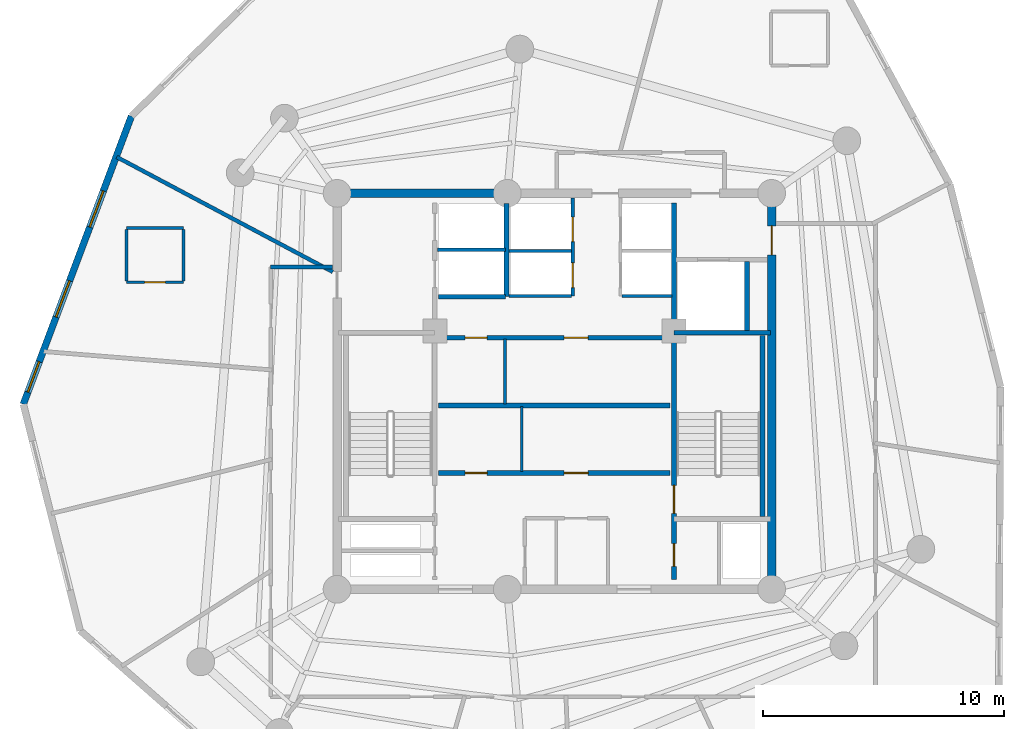
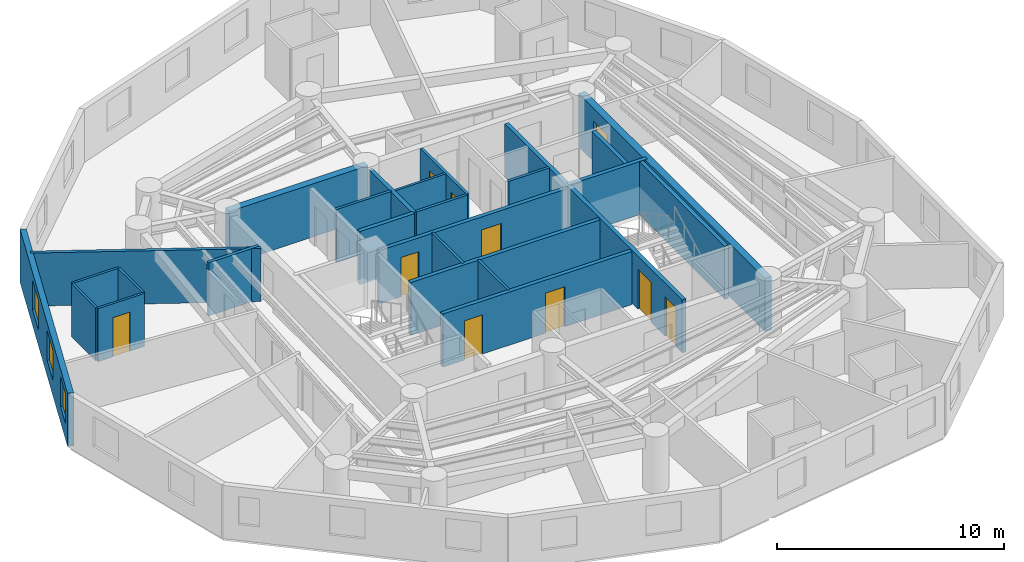
# One storey, part 4 of 7: 25 walls, 10 doors, 3 windows, 13 openings.
"""IFC4 building model written with IfcOpenShell, lengths in metres."""

import ifcopenshell
import ifcopenshell.guid

model = None  # the IFC model being written
_history = None  # IfcOwnerHistory: only IFC2X3 demands one
_inside = {}  # id of a spatial element -> (the spatial element, [elements in it])
_under = {}  # id of a project, library or spatial element -> (it, [spatial elements below it])
_declared = {}  # id of a project -> (the project, [libraries it declares])
_typed = {}  # id of a type object -> (the type object, [elements of that type])
_made_of = {}  # id of a material, layer set ... -> (it, [elements and type objects made of it])


def new_model(schema):
    """Start an empty IFC model of exactly this schema.

    Asked for "IFC4X3", IfcOpenShell would pick the latest addendum, in which some entities
    have other attributes; the version numbers below select the first issue.
    IFC2X3 requires an IfcOwnerHistory on every rooted entity: one is made here for all.
    """
    global model, _history
    if schema == "IFC4X3":
        model = ifcopenshell.file(schema_version=(4, 3, 0, 0))
    else:
        model = ifcopenshell.file(schema=schema)
    _inside.clear()
    _under.clear()
    _declared.clear()
    _typed.clear()
    _made_of.clear()
    _history = None
    if model.schema == "IFC2X3":
        org = make("IfcOrganization", Name="unknown")
        user = make(
            "IfcPersonAndOrganization",
            ThePerson=make("IfcPerson", FamilyName="unknown"),
            TheOrganization=org,
        )
        app = make(
            "IfcApplication",
            ApplicationDeveloper=org,
            Version="unknown",
            ApplicationFullName="unknown",
            ApplicationIdentifier="unknown",
        )
        _history = make(
            "IfcOwnerHistory",
            OwningUser=user,
            OwningApplication=app,
            ChangeAction="ADDED",
            CreationDate=0,
        )
    return model


def make(cls, **values):
    """One entity of the class cls with the attributes given. An attribute that is None is left unset."""
    return model.create_entity(
        cls, **{name: value for name, value in values.items() if value is not None}
    )


def rooted(cls, **values):
    """An entity with a GlobalId (a new one), such as an element, a storey or a relation."""
    return make(cls, GlobalId=ifcopenshell.guid.new(), OwnerHistory=_history, **values)


def si_unit(unit_type, name, prefix=None):
    """IfcSIUnit, for example si_unit("LENGTHUNIT", "METRE", prefix="MILLI")."""
    return make("IfcSIUnit", UnitType=unit_type, Prefix=prefix, Name=name)


def assignment(units):
    """IfcUnitAssignment: the units of a project."""
    return None if units is None else make("IfcUnitAssignment", Units=units)


def point(xyz):
    """IfcCartesianPoint."""
    return None if xyz is None else make("IfcCartesianPoint", Coordinates=xyz)


def direction(xyz):
    """IfcDirection."""
    return None if xyz is None else make("IfcDirection", DirectionRatios=xyz)


def frame(location, z_axis=None, x_axis=None):
    """IfcAxis2Placement3D, a coordinate frame: its origin and axes. An axis left out is left unset."""
    return make(
        "IfcAxis2Placement3D",
        Location=point(location),
        Axis=direction(z_axis),
        RefDirection=direction(x_axis),
    )


def frame_2d(location, x_axis=None):
    """IfcAxis2Placement2D, a coordinate frame in the plane: its origin and x axis."""
    return make(
        "IfcAxis2Placement2D", Location=point(location), RefDirection=direction(x_axis)
    )


def origin():
    """The frame at (0, 0, 0) with its axes left unset."""
    return frame((0.0, 0.0, 0.0))


def origin_with_axes():
    """The frame at (0, 0, 0) with the z axis (0, 0, 1) and the x axis (1, 0, 0) written out."""
    return frame((0.0, 0.0, 0.0), z_axis=(0.0, 0.0, 1.0), x_axis=(1.0, 0.0, 0.0))


def place(relative_to, where):
    """IfcLocalPlacement: puts the frame where relative to a parent placement (None: the world)."""
    return make(
        "IfcLocalPlacement", PlacementRelTo=relative_to, RelativePlacement=where
    )


def context(
    kind, dimensions, precision=None, world=None, true_north=None, identifier=None
):
    """IfcGeometricRepresentationContext, for example the 3D "Model" context."""
    return make(
        "IfcGeometricRepresentationContext",
        ContextIdentifier=identifier,
        ContextType=kind,
        CoordinateSpaceDimension=dimensions,
        Precision=precision,
        WorldCoordinateSystem=world,
        TrueNorth=true_north,
    )


def subcontext(parent, identifier, kind, view, scale=None):
    """IfcGeometricRepresentationSubContext, for example "Body" below "Model"."""
    return make(
        "IfcGeometricRepresentationSubContext",
        ContextIdentifier=identifier,
        ContextType=kind,
        ParentContext=parent,
        TargetScale=scale,
        TargetView=view,
    )


def project(units=None, contexts=None):
    """IfcProject with its units and contexts."""
    return rooted(
        "IfcProject",
        Name="project",
        RepresentationContexts=contexts,
        UnitsInContext=assignment(units),
    )


def spatial(cls, under=None, at=None, **own):
    """A site, building, storey or space (cls), placed at a placement, below another one or the project."""
    s = rooted(cls, ObjectPlacement=at, **own)
    if under is not None:
        _under.setdefault(under.id(), (under, []))[1].append(s)
    return s


def profile(cls, at=None, kind="AREA", **sizes):
    """A parametric profile (cls). Its sizes go by their IFC names, for example OverallWidth=200.0."""
    return make(cls, ProfileType=kind, Position=at, **sizes)


def rectangle(**sizes):
    """IfcRectangleProfileDef."""
    return profile("IfcRectangleProfileDef", **sizes)


def extrude(swept, where, along, depth):
    """IfcExtrudedAreaSolid: the profile swept, set in the frame where, extruded along a direction by depth."""
    return make(
        "IfcExtrudedAreaSolid",
        SweptArea=swept,
        Position=where,
        ExtrudedDirection=direction(along),
        Depth=depth,
    )


def shape(context_of_items, identifier, shape_type, items):
    """IfcShapeRepresentation: the items that make up one representation, for example the "Body"."""
    return make(
        "IfcShapeRepresentation",
        ContextOfItems=context_of_items,
        RepresentationIdentifier=identifier,
        RepresentationType=shape_type,
        Items=items,
    )


def source(mapping_origin, context_of_items, identifier, shape_type, items):
    """IfcRepresentationMap: a shape defined once, which mapped items show again and again."""
    return make(
        "IfcRepresentationMap",
        MappingOrigin=mapping_origin,
        MappedRepresentation=shape(context_of_items, identifier, shape_type, items),
    )


def transform(
    local_origin,
    x_axis=None,
    y_axis=None,
    z_axis=None,
    scale=None,
    scale2=None,
    scale3=None,
    uniform=True,
):
    """IfcCartesianTransformationOperator3D, or its non-uniform kind. x_axis, y_axis, z_axis: its Axis1, 2, 3."""
    if uniform:
        return make(
            "IfcCartesianTransformationOperator3D",
            Axis1=direction(x_axis),
            Axis2=direction(y_axis),
            LocalOrigin=point(local_origin),
            Scale=scale,
            Axis3=direction(z_axis),
        )
    return make(
        "IfcCartesianTransformationOperator3DnonUniform",
        Axis1=direction(x_axis),
        Axis2=direction(y_axis),
        LocalOrigin=point(local_origin),
        Scale=scale,
        Axis3=direction(z_axis),
        Scale2=scale2,
        Scale3=scale3,
    )


def mapped(mapping_source, mapping_target):
    """IfcMappedItem: shows the shape of a source again, moved by a transform."""
    return make(
        "IfcMappedItem", MappingSource=mapping_source, MappingTarget=mapping_target
    )


def material(Name=None, Category=None):
    """IfcMaterial."""
    return make("IfcMaterial", Name=Name, Category=Category)


def layer(
    of_material, thickness, ventilated=None, Name=None, Category=None, Priority=None
):
    """IfcMaterialLayer: one layer of a wall or slab, of a material (None: an air gap)."""
    return make(
        "IfcMaterialLayer",
        Material=of_material,
        LayerThickness=thickness,
        IsVentilated=ventilated,
        Name=Name,
        Category=Category,
        Priority=Priority,
    )


def layer_set(layers, Name=None):
    """IfcMaterialLayerSet."""
    return make("IfcMaterialLayerSet", MaterialLayers=layers, LayerSetName=Name)


def made_of(thing, what):
    """Note that an element or type object is made of a material, layer set ...; save() writes the relation."""
    if what is not None:
        _made_of.setdefault(what.id(), (what, []))[1].append(thing)
    return thing


def type_object(cls, material=None, **own):
    """A type object (cls), such as IfcWallType, which elements share."""
    return made_of(rooted(cls, **own), material)


def element(
    cls,
    number,
    at=None,
    inside=None,
    cuts=None,
    type_object=None,
    material=None,
    context=None,
    identifier="Body",
    shape_type=None,
    held_by="IfcProductDefinitionShape",
    body=None,
    shapes=None,
    **own,
):
    """One element of the class cls, such as IfcWall. Its Tag is "e" and its number.

    at: its placement. inside: the storey or other place that contains it. cuts: it is an
    opening in that element (IfcRelVoidsElement). A single representation is given by context,
    identifier, shape_type and body (its items); several are given by shapes. held_by: the class
    of the entity that holds the representations. save() writes the other relations.
    """
    e = rooted(cls, Tag="e%d" % number, ObjectPlacement=at, **own)
    if body is not None:
        shapes = [shape(context, identifier, shape_type, body)]
    if shapes is not None:
        e.Representation = make(held_by, Representations=shapes)
    if inside is not None:
        _inside.setdefault(inside.id(), (inside, []))[1].append(e)
    if cuts is not None:
        rooted(
            "IfcRelVoidsElement", RelatingBuildingElement=cuts, RelatedOpeningElement=e
        )
    if type_object is not None:
        _typed.setdefault(type_object.id(), (type_object, []))[1].append(e)
    return made_of(e, material)


def fill(opening, filler):
    """IfcRelFillsElement: the door or window that sits in an opening."""
    return rooted(
        "IfcRelFillsElement",
        RelatingOpeningElement=opening,
        RelatedBuildingElement=filler,
    )


def aggregate(whole, parts):
    """IfcRelAggregates: a whole, such as a stair, and the parts it consists of."""
    return rooted("IfcRelAggregates", RelatingObject=whole, RelatedObjects=parts)


def save(model, path):
    """Write the relations noted so far, then the file.

    IfcRelAggregates (storeys below a building ...), IfcRelContainedInSpatialStructure (elements
    in a storey), IfcRelDefinesByType, IfcRelAssociatesMaterial and IfcRelDeclares: one each for
    every whole, place, type object, material and project.
    """
    for whole, parts in _under.values():
        aggregate(whole, parts)
    for where, things in _inside.values():
        rooted(
            "IfcRelContainedInSpatialStructure",
            RelatedElements=things,
            RelatingStructure=where,
        )
    for kind, things in _typed.values():
        rooted("IfcRelDefinesByType", RelatedObjects=things, RelatingType=kind)
    for what, things in _made_of.values():
        rooted("IfcRelAssociatesMaterial", RelatedObjects=things, RelatingMaterial=what)
    for by, libraries in _declared.values():
        rooted("IfcRelDeclares", RelatingContext=by, RelatedDefinitions=libraries)
    model.write(path)


model = new_model("IFC4")

# Units and contexts
model_context = context("Model", 3, precision=1e-05, world=origin(), true_north=direction((0.0, 1.0)))
body_context = subcontext(model_context, "Body", "Model", "MODEL_VIEW")
ifc_project = project(units=[si_unit("LENGTHUNIT", "METRE"), si_unit("AREAUNIT", "SQUARE_METRE"), si_unit("VOLUMEUNIT", "CUBIC_METRE"), si_unit("PLANEANGLEUNIT", "RADIAN"), si_unit("MASSUNIT", "GRAM", prefix="KILO")], contexts=[model_context])

# Site, building, storey
site_placement = place(None, origin())
site = spatial("IfcSite", under=ifc_project, at=site_placement, CompositionType="ELEMENT")
building_placement = place(site_placement, origin())
building = spatial("IfcBuilding", under=site, at=building_placement, Name="Karkom Vertical University and Central Library", CompositionType="ELEMENT")
storey_placement = place(building_placement, frame((0.0, 0.0, 223.0)))
storey = spatial("IfcBuildingStorey", under=building, at=storey_placement, Name="L65", CompositionType="ELEMENT", Elevation=223.0)

# Wall, openings, windows
ifc_material_1 = material(Name="Brick-faced precast concrete C45/55", Category="masonry")
ifc_layer_1 = layer(ifc_material_1, 0.280029296875)
ifc_layer_set_1 = layer_set([ifc_layer_1], Name="Brick-faced precast concrete C45/55")
wall_type_1 = type_object("IfcWallType", Name="ENV-WL-BRK-280", PredefinedType="SOLIDWALL", material=ifc_layer_set_1)
wall_1_placement = place(storey_placement, frame((10.981201171875, 37.902099609375, 0.0), z_axis=(0.0, 0.0, 1.0), x_axis=(-0.351347962303, -0.936244951594, 0.0)))
wall_1 = element("IfcWall", 1, at=wall_1_placement, inside=storey, type_object=wall_type_1, Name="Level 65 Brick-Faced Precast Facade Wall 12", PredefinedType="SOLIDWALL", context=body_context, shape_type="SweptSolid", body=[
    extrude(rectangle(XDim=12.750244140625, YDim=0.280029296875, at=frame_2d((6.375, 0.0))), origin(), (0.0, 0.0, 1.0), 2.85009765625),
])
opening_1_placement = place(wall_1_placement, frame((3.313232421875, 0.0, 0.85009765625)))
opening_1 = element("IfcOpeningElement", 2, at=opening_1_placement, cuts=wall_1, Name="Opening WN-10", PredefinedType="OPENING", context=body_context, shape_type="SweptSolid", body=[
    extrude(rectangle(XDim=1.60009765625, YDim=1.60009765625, at=frame_2d((0.800048828125, 0.800048828125))), frame((0.0, 0.14990234375, 0.0), z_axis=(0.0, -1.0, 0.0), x_axis=(1.0, 0.0, 0.0)), (0.0, 0.0, 1.0), 0.300048828125),
])
opening_2_placement = place(wall_1_placement, frame((7.288330078125, 0.0, 0.85009765625)))
opening_2 = element("IfcOpeningElement", 3, at=opening_2_placement, cuts=wall_1, Name="Opening WN-10", PredefinedType="OPENING", context=body_context, shape_type="SweptSolid", body=[
    extrude(rectangle(XDim=1.60009765625, YDim=1.60009765625, at=frame_2d((0.800048828125, 0.800048828125))), frame((0.0, 0.14990234375, 0.0), z_axis=(0.0, -1.0, 0.0), x_axis=(1.0, 0.0, 0.0)), (0.0, 0.0, 1.0), 0.300048828125),
])
opening_3_placement = place(wall_1_placement, frame((10.867919921875, 0.0, 0.85009765625)))
opening_3 = element("IfcOpeningElement", 4, at=opening_3_placement, cuts=wall_1, Name="Opening WN-11", PredefinedType="OPENING", context=body_context, shape_type="SweptSolid", body=[
    extrude(rectangle(XDim=1.35009765625, YDim=1.60009765625, at=frame_2d((0.675048828125, 0.800048828125))), frame((0.0, 0.14990234375, 0.0), z_axis=(0.0, -1.0, 0.0), x_axis=(1.0, 0.0, 0.0)), (0.0, 0.0, 1.0), 0.300048828125),
])
ifc_material_2 = material(Name="Aluminium thermal-break frame with solar-control IGU", Category="aluminium")
window_type_1 = type_object("IfcWindowType", Name="ENV-WIN-WN-10", PartitioningType="SINGLE_PANEL", PredefinedType="WINDOW", material=ifc_material_2)
shared_shape_1 = source(origin_with_axes(), body_context, "Body", "SweptSolid", [
    extrude(rectangle(XDim=1.60009765625, YDim=1.60009765625, at=frame_2d((0.800048828125, 0.800048828125))), frame((0.0, 0.030029296875, 0.0), z_axis=(0.0, -1.0, 0.0), x_axis=(1.0, 0.0, 0.0)), (0.0, 0.0, 1.0), 0.06005859375),
])
window_1_placement = place(opening_1_placement, origin())
window_1 = element("IfcWindow", 5, at=window_1_placement, inside=storey, type_object=window_type_1, Name="Level 65 Punched Window 12.1", OverallHeight=1.60009765625, OverallWidth=1.60009765625, PartitioningType="SINGLE_PANEL", PredefinedType="WINDOW", context=body_context, shape_type="MappedRepresentation", body=[
    mapped(shared_shape_1, transform((0.0, 0.0, 0.0), scale=1.0)),
])
fill(opening_1, window_1)
window_2_placement = place(opening_2_placement, origin())
window_2 = element("IfcWindow", 6, at=window_2_placement, inside=storey, type_object=window_type_1, Name="Level 65 Punched Window 12.2", OverallHeight=1.60009765625, OverallWidth=1.60009765625, PartitioningType="SINGLE_PANEL", PredefinedType="WINDOW", context=body_context, shape_type="MappedRepresentation", body=[
    mapped(shared_shape_1, transform((0.0, 0.0, 0.0), scale=1.0)),
])
fill(opening_2, window_2)
window_type_2 = type_object("IfcWindowType", Name="ENV-WIN-WN-11", PartitioningType="SINGLE_PANEL", PredefinedType="WINDOW", material=ifc_material_2)
shared_shape_2 = source(origin_with_axes(), body_context, "Body", "SweptSolid", [
    extrude(rectangle(XDim=1.35009765625, YDim=1.60009765625, at=frame_2d((0.675048828125, 0.800048828125))), frame((0.0, 0.030029296875, 0.0), z_axis=(0.0, -1.0, 0.0), x_axis=(1.0, 0.0, 0.0)), (0.0, 0.0, 1.0), 0.06005859375),
])
window_3_placement = place(opening_3_placement, origin())
window_3 = element("IfcWindow", 7, at=window_3_placement, inside=storey, type_object=window_type_2, Name="Level 65 Punched Window 12.3", OverallHeight=1.60009765625, OverallWidth=1.35009765625, PartitioningType="SINGLE_PANEL", PredefinedType="WINDOW", context=body_context, shape_type="MappedRepresentation", body=[
    mapped(shared_shape_2, transform((0.0, 0.0, 0.0), scale=1.0)),
])
fill(opening_3, window_3)

# Walls
ifc_material_3 = material(Name="Insulated metal-stud drywall 160mm", Category="gypsum")
ifc_layer_2 = layer(ifc_material_3, 0.159912109375)
ifc_layer_set_2 = layer_set([ifc_layer_2], Name="Insulated metal-stud drywall 160mm")
wall_type_2 = type_object("IfcWallType", Name="INT-WL-COR-160", PredefinedType="PARTITIONING", material=ifc_layer_set_2)
wall_2_placement = place(storey_placement, frame((19.318603515625, 31.44970703125, 0.0), z_axis=(0.0, 0.0, 1.0), x_axis=(-0.882945054527, 0.469476336662, 0.0)))
element("IfcWall", 8, at=wall_2_placement, inside=storey, type_object=wall_type_2, Name="Level 65 Interior Partition Wall L65-PW-014", PredefinedType="PARTITIONING", context=body_context, shape_type="SweptSolid", body=[
    extrude(rectangle(XDim=10.134765625, YDim=0.159912109375, at=frame_2d((5.0673828125, 0.0))), origin(), (0.0, 0.0, 1.0), 2.85009765625),
])
wall_3_placement = place(storey_placement, frame((16.75, 31.64990234375, 0.0), z_axis=(0.0, 0.0, 1.0), x_axis=(1.0, 0.0, 0.0)))
element("IfcWall", 9, at=wall_3_placement, inside=storey, type_object=wall_type_2, Name="Level 65 Interior Partition Wall L65-CORW-CW-003", PredefinedType="PARTITIONING", context=body_context, shape_type="SweptSolid", body=[
    extrude(rectangle(XDim=2.568115234375, YDim=0.159912109375, at=frame_2d((1.2841796875, 0.0))), origin(), (0.0, 0.0, 1.0), 2.85009765625),
])
ifc_material_4 = material(Name="Moisture-resistant drywall 120mm", Category="gypsum")
ifc_layer_3 = layer(ifc_material_4, 0.1201171875)
ifc_layer_set_3 = layer_set([ifc_layer_3], Name="Moisture-resistant drywall 120mm")
wall_type_3 = type_object("IfcWallType", Name="INT-WL-INT-120", PredefinedType="PARTITIONING", material=ifc_layer_set_3)
wall_4_placement = place(storey_placement, frame((27.14990234375, 23.169921875, 0.0), z_axis=(0.0, 0.0, 1.0), x_axis=(0.0, 1.0, 0.0)))
element("IfcWall", 10, at=wall_4_placement, inside=storey, type_object=wall_type_3, Name="Level 65 Interior Partition Wall L65-CW-B1-K2", PredefinedType="PARTITIONING", context=body_context, shape_type="SweptSolid", body=[
    extrude(rectangle(XDim=2.7001953125, YDim=0.1201171875, at=frame_2d((1.35009765625, 0.0))), origin(), (0.0, 0.0, 1.0), 2.85009765625),
])
wall_5_placement = place(storey_placement, frame((26.449951171875, 25.969970703125, 0.0), z_axis=(0.0, 0.0, 1.0), x_axis=(0.0, 1.0, 0.0)))
element("IfcWall", 11, at=wall_5_placement, inside=storey, type_object=wall_type_3, Name="Level 65 Interior Partition Wall L65-CW-B2-K2", PredefinedType="PARTITIONING", context=body_context, shape_type="SweptSolid", body=[
    extrude(rectangle(XDim=2.699951171875, YDim=0.1201171875, at=frame_2d((1.35009765625, 0.0))), origin(), (0.0, 0.0, 1.0), 2.85009765625),
])

# Wall, opening, door
ifc_layer_4 = layer(ifc_material_4, 0.1201171875)
ifc_layer_set_4 = layer_set([ifc_layer_4], Name="Moisture-resistant drywall 120mm")
wall_type_4 = type_object("IfcWallType", Name="INT-WL-INT-120F", PredefinedType="PARTITIONING", material=ifc_layer_set_4)
wall_6_placement = place(storey_placement, frame((10.778076171875, 31.01904296875, 0.0), z_axis=(0.0, 0.0, 1.0), x_axis=(1.0, 0.0, 0.0)))
wall_6 = element("IfcWall", 12, at=wall_6_placement, inside=storey, type_object=wall_type_4, Name="Level 65 Interior Partition Wall L65-ENS-52-S", PredefinedType="PARTITIONING", context=body_context, shape_type="SweptSolid", body=[
    extrude(rectangle(XDim=2.35986328125, YDim=0.1201171875, at=frame_2d((1.179931640625, 0.0))), origin(), (0.0, 0.0, 1.0), 2.85009765625),
])
opening_4_placement = place(wall_6_placement, frame((0.75, 0.0, 0.0)))
opening_4 = element("IfcOpeningElement", 13, at=opening_4_placement, cuts=wall_6, Name="Opening D-BATH", PredefinedType="OPENING", context=body_context, shape_type="SweptSolid", body=[
    extrude(rectangle(XDim=0.860107421875, YDim=2.10009765625, at=frame_2d((0.43017578125, 1.050048828125))), frame((0.0, 0.070068359375, 0.0), z_axis=(0.0, -1.0, 0.0), x_axis=(1.0, 0.0, 0.0)), (0.0, 0.0, 1.0), 0.14013671875),
])
ifc_material_5 = material(Name="Moisture-resistant oak door", Category="wood")
door_type_1 = type_object("IfcDoorType", Name="INT-DR-BATH", OperationType="NOTDEFINED", PredefinedType="DOOR", material=ifc_material_5)
shared_shape_3 = source(origin_with_axes(), body_context, "Body", "SweptSolid", [
    extrude(rectangle(XDim=0.860107421875, YDim=2.10009765625, at=frame_2d((0.43017578125, 1.050048828125))), frame((0.0, 0.02490234375, 0.0), z_axis=(0.0, -1.0, 0.0), x_axis=(1.0, 0.0, 0.0)), (0.0, 0.0, 1.0), 0.050048828125),
])
door_1_placement = place(opening_4_placement, origin())
door_1 = element("IfcDoor", 14, at=door_1_placement, inside=storey, type_object=door_type_1, Name="Level 65 En-Suite Bathroom Door 52", OperationType="SINGLE_SWING_RIGHT", OverallHeight=2.10009765625, OverallWidth=0.860107421875, PredefinedType="DOOR", context=body_context, shape_type="MappedRepresentation", body=[
    mapped(shared_shape_3, transform((0.0, 0.0, 0.0), scale=1.0)),
])
fill(opening_4, door_1)

# Walls
wall_7_placement = place(storey_placement, frame((13.137939453125, 33.259033203125, 0.0), z_axis=(0.0, 0.0, 1.0), x_axis=(-1.0, 0.0, 0.0)))
element("IfcWall", 15, at=wall_7_placement, inside=storey, type_object=wall_type_4, Name="Level 65 Interior Partition Wall L65-ENS-52-N", PredefinedType="PARTITIONING", context=body_context, shape_type="SweptSolid", body=[
    extrude(rectangle(XDim=2.35986328125, YDim=0.1201171875, at=frame_2d((1.179931640625, 0.0))), origin(), (0.0, 0.0, 1.0), 2.85009765625),
])
for number, where, z_axis, x_axis, name in (
    (16, (13.137939453125, 31.069091796875, 0.0), (0.0, 0.0, 1.0), (0.0, 1.0, 0.0), "Level 65 Interior Partition Wall L65-ENS-52-E"),
    (17, (10.778076171875, 33.208984375, 0.0), (0.0, 0.0, 1.0), (0.0, -1.0, 0.0), "Level 65 Interior Partition Wall L65-ENS-52-W"),
):
    element("IfcWall", number, at=place(storey_placement, frame(where, z_axis=z_axis, x_axis=x_axis)), inside=storey, type_object=wall_type_4, Name=name, PredefinedType="PARTITIONING", context=body_context, shape_type="SweptSolid", body=[
        extrude(rectangle(XDim=2.139892578125, YDim=0.1201171875, at=frame_2d((1.06982421875, 0.0))), origin(), (0.0, 0.0, 1.0), 2.85009765625),
    ])
ifc_layer_5 = layer(ifc_material_4, 0.1201171875)
ifc_layer_set_5 = layer_set([ifc_layer_5], Name="Moisture-resistant drywall 120mm")
wall_type_5 = type_object("IfcWallType", Name="INT-WL-INT-120H", PredefinedType="PARTITIONING", material=ifc_layer_set_5)
wall_8_placement = place(storey_placement, frame((26.6201171875, 32.320068359375, 0.0), z_axis=(0.0, 0.0, 1.0), x_axis=(1.0, 0.0, 0.0)))
element("IfcWall", 18, at=wall_8_placement, inside=storey, type_object=wall_type_5, Name="Level 65 Interior Partition Wall L65-CW-PH-MW", PredefinedType="PARTITIONING", context=body_context, shape_type="SweptSolid", body=[
    extrude(rectangle(XDim=2.579833984375, YDim=0.1201171875, at=frame_2d((1.2900390625, 0.0))), origin(), (0.0, 0.0, 1.0), 2.85009765625),
])

# Wall, openings, doors
ifc_material_6 = material(Name="Metal-stud gypsum partition 140mm", Category="gypsum")
ifc_layer_6 = layer(ifc_material_6, 0.139892578125)
ifc_layer_set_6 = layer_set([ifc_layer_6], Name="Metal-stud gypsum partition 140mm")
wall_type_6 = type_object("IfcWallType", Name="INT-WL-SUB-140H", PredefinedType="PARTITIONING", material=ifc_layer_set_6)
wall_9_placement = place(storey_placement, frame((29.260009765625, 30.449951171875, 0.0), z_axis=(0.0, 0.0, 1.0), x_axis=(0.0, 1.0, 0.0)))
wall_9 = element("IfcWall", 19, at=wall_9_placement, inside=storey, type_object=wall_type_6, Name="Level 65 Interior Partition Wall L65-CW-PH-W", PredefinedType="PARTITIONING", context=body_context, shape_type="SweptSolid", body=[
    extrude(rectangle(XDim=4.068115234375, YDim=0.139892578125, at=frame_2d((2.0341796875, 0.0))), origin(), (0.0, 0.0, 1.0), 2.85009765625),
])
opening_5_placement = place(wall_9_placement, frame((0.35009765625, 0.0, 0.0)))
opening_5 = element("IfcOpeningElement", 20, at=opening_5_placement, cuts=wall_9, Name="Opening LD-PH", PredefinedType="OPENING", context=body_context, shape_type="SweptSolid", body=[
    extrude(rectangle(XDim=1.02001953125, YDim=2.14990234375, at=frame_2d((0.510009765625, 1.074951171875))), frame((0.0, 0.080078125, 0.0), z_axis=(0.0, -1.0, 0.0), x_axis=(1.0, 0.0, 0.0)), (0.0, 0.0, 1.0), 0.159912109375),
])
opening_6_placement = place(wall_9_placement, frame((2.25, 0.0, 0.0)))
opening_6 = element("IfcOpeningElement", 21, at=opening_6_placement, cuts=wall_9, Name="Opening LD-PH", PredefinedType="OPENING", context=body_context, shape_type="SweptSolid", body=[
    extrude(rectangle(XDim=1.02001953125, YDim=2.14990234375, at=frame_2d((0.510009765625, 1.074951171875))), frame((0.0, 0.080078125, 0.0), z_axis=(0.0, -1.0, 0.0), x_axis=(1.0, 0.0, 0.0)), (0.0, 0.0, 1.0), 0.159912109375),
])
ifc_material_7 = material(Name="Brushed stainless-steel landing door", Category="steel")
door_type_2 = type_object("IfcDoorType", Name="INT-DR-LD-PH", OperationType="SLIDING_TO_LEFT", PredefinedType="DOOR", material=ifc_material_7)
shared_shape_4 = source(origin_with_axes(), body_context, "Body", "SweptSolid", [
    extrude(rectangle(XDim=1.02001953125, YDim=2.14990234375, at=frame_2d((0.510009765625, 1.074951171875))), frame((0.0, 0.02490234375, 0.0), z_axis=(0.0, -1.0, 0.0), x_axis=(1.0, 0.0, 0.0)), (0.0, 0.0, 1.0), 0.050048828125),
])
door_2_placement = place(opening_5_placement, origin())
door_2 = element("IfcDoor", 22, at=door_2_placement, inside=storey, type_object=door_type_2, Name="Level 65 Lift PH-1 Landing Door", OperationType="SLIDING_TO_LEFT", OverallHeight=2.14990234375, OverallWidth=1.02001953125, PredefinedType="DOOR", context=body_context, shape_type="MappedRepresentation", body=[
    mapped(shared_shape_4, transform((0.0, 0.0, 0.0), scale=1.0)),
])
fill(opening_5, door_2)
door_3_placement = place(opening_6_placement, origin())
door_3 = element("IfcDoor", 23, at=door_3_placement, inside=storey, type_object=door_type_2, Name="Level 65 Lift PH-2 Landing Door", OperationType="SLIDING_TO_LEFT", OverallHeight=2.14990234375, OverallWidth=1.02001953125, PredefinedType="DOOR", context=body_context, shape_type="MappedRepresentation", body=[
    mapped(shared_shape_4, transform((0.0, 0.0, 0.0), scale=1.0)),
])
fill(opening_6, door_3)

# Walls
wall_10_placement = place(storey_placement, frame((26.6201171875, 30.449951171875, 0.0), z_axis=(0.0, 0.0, 1.0), x_axis=(1.0, 0.0, 0.0)))
element("IfcWall", 24, at=wall_10_placement, inside=storey, type_object=wall_type_6, Name="Level 65 Interior Partition Wall L65-CW-PH-S1", PredefinedType="PARTITIONING", context=body_context, shape_type="SweptSolid", body=[
    extrude(rectangle(XDim=2.579833984375, YDim=0.139892578125, at=frame_2d((1.2900390625, 0.0))), origin(), (0.0, 0.0, 1.0), 2.85009765625),
])
wall_11_placement = place(storey_placement, frame((31.300048828125, 30.449951171875, 0.0), z_axis=(0.0, 0.0, 1.0), x_axis=(1.0, 0.0, 0.0)))
element("IfcWall", 25, at=wall_11_placement, inside=storey, type_object=wall_type_6, Name="Level 65 Interior Partition Wall L65-CW-PH-S2", PredefinedType="PARTITIONING", context=body_context, shape_type="SweptSolid", body=[
    extrude(rectangle(XDim=2.074951171875, YDim=0.139892578125, at=frame_2d((1.03759765625, 0.0))), origin(), (0.0, 0.0, 1.0), 2.85009765625),
])
ifc_layer_7 = layer(ifc_material_6, 0.139892578125)
ifc_layer_set_7 = layer_set([ifc_layer_7], Name="Metal-stud gypsum partition 140mm")
wall_type_7 = type_object("IfcWallType", Name="INT-WL-SUB-140X", PredefinedType="PARTITIONING", material=ifc_layer_set_7)
wall_12_placement = place(storey_placement, frame((23.652099609375, 32.3701171875, 0.0), z_axis=(0.0, 0.0, 1.0), x_axis=(1.0, 0.0, 0.0)))
element("IfcWall", 26, at=wall_12_placement, inside=storey, type_object=wall_type_7, Name="Level 65 Interior Partition Wall L65-CW-FFL-M", PredefinedType="PARTITIONING", context=body_context, shape_type="SweptSolid", body=[
    extrude(rectangle(XDim=2.827880859375, YDim=0.139892578125, at=frame_2d((1.4140625, 0.0))), origin(), (0.0, 0.0, 1.0), 2.85009765625),
])

# Wall, opening, door
ifc_material_8 = material(Name="Concrete C45/55", Category="concrete")
ifc_layer_8 = layer(ifc_material_8, 0.35009765625)
ifc_layer_set_8 = layer_set([ifc_layer_8], Name="Concrete C45/55")
wall_type_8 = type_object("IfcWallType", Name="STR-WL-CW-350", PredefinedType="SHEAR", material=ifc_layer_set_8)
wall_13_placement = place(storey_placement, frame((37.5, 18.300048828125, 0.0), z_axis=(0.0, 0.0, 1.0), x_axis=(0.0, 1.0, 0.0)))
wall_13 = element("IfcWall", 27, at=wall_13_placement, inside=storey, type_object=wall_type_8, Name="Level 65 Central Core Shear Wall EW", PredefinedType="SHEAR", context=body_context, shape_type="SweptSolid", body=[
    extrude(rectangle(XDim=16.39990234375, YDim=0.35009765625, at=frame_2d((8.199951171875, 0.0))), origin(), (0.0, 0.0, 1.0), 2.85009765625),
])
opening_7_placement = place(wall_13_placement, frame((13.85009765625, 0.0, 0.0)))
opening_7 = element("IfcOpeningElement", 28, at=opening_7_placement, cuts=wall_13, Name="Opening FD-SUB1", PredefinedType="OPENING", context=body_context, shape_type="SweptSolid", body=[
    extrude(rectangle(XDim=1.199951171875, YDim=2.14990234375, at=frame_2d((0.60009765625, 1.074951171875))), frame((0.0, 0.18505859375, 0.0), z_axis=(0.0, -1.0, 0.0), x_axis=(1.0, 0.0, 0.0)), (0.0, 0.0, 1.0), 0.3701171875),
])
ifc_material_9 = material(Name="Painted steel fire door", Category="steel")
door_type_3 = type_object("IfcDoorType", Name="INT-DR-SUB1", OperationType="NOTDEFINED", PredefinedType="DOOR", material=ifc_material_9)
shared_shape_5 = source(origin_with_axes(), body_context, "Body", "SweptSolid", [
    extrude(rectangle(XDim=1.199951171875, YDim=2.14990234375, at=frame_2d((0.60009765625, 1.074951171875))), frame((0.0, 0.02490234375, 0.0), z_axis=(0.0, -1.0, 0.0), x_axis=(1.0, 0.0, 0.0)), (0.0, 0.0, 1.0), 0.050048828125),
])
door_4_placement = place(opening_7_placement, origin())
door_4 = element("IfcDoor", 29, at=door_4_placement, inside=storey, type_object=door_type_3, Name="Level 65 East Corridor Service Lobby Door", OperationType="SINGLE_SWING_RIGHT", OverallHeight=2.14990234375, OverallWidth=1.199951171875, PredefinedType="DOOR", context=body_context, shape_type="MappedRepresentation", body=[
    mapped(shared_shape_5, transform((0.0, 0.0, 0.0), scale=1.0)),
])
fill(opening_7, door_4)

# Wall
wall_14_placement = place(storey_placement, frame((26.550048828125, 34.699951171875, 0.0), z_axis=(0.0, 0.0, 1.0), x_axis=(-1.0, 0.0, 0.0)))
element("IfcWall", 30, at=wall_14_placement, inside=storey, type_object=wall_type_8, Name="Level 65 Central Core Shear Wall NW2", PredefinedType="SHEAR", context=body_context, shape_type="SweptSolid", body=[
    extrude(rectangle(XDim=7.050048828125, YDim=0.35009765625, at=frame_2d((3.52490234375, 0.0))), origin(), (0.0, 0.0, 1.0), 2.85009765625),
])

# Wall, openings, doors
ifc_layer_9 = layer(ifc_material_8, 0.199951171875)
ifc_layer_set_9 = layer_set([ifc_layer_9], Name="Concrete C45/55")
wall_type_9 = type_object("IfcWallType", Name="STR-WL-ST-200", PredefinedType="SHEAR", material=ifc_layer_set_9)
wall_15_placement = place(storey_placement, frame((33.455078125, 18.699951171875, 0.0), z_axis=(0.0, 0.0, 1.0), x_axis=(0.0, 1.0, 0.0)))
wall_15 = element("IfcWall", 31, at=wall_15_placement, inside=storey, type_object=wall_type_9, Name="Level 65 Core Shaft Wall L65-CW-ST2-W", PredefinedType="SHEAR", context=body_context, shape_type="SweptSolid", body=[
    extrude(rectangle(XDim=15.60009765625, YDim=0.199951171875, at=frame_2d((7.800048828125, 0.0))), origin(), (0.0, 0.0, 1.0), 2.85009765625),
])
opening_8_placement = place(wall_15_placement, frame((2.75, 0.0, 0.0)))
opening_8 = element("IfcOpeningElement", 32, at=opening_8_placement, cuts=wall_15, Name="Opening FD-ST1", PredefinedType="OPENING", context=body_context, shape_type="SweptSolid", body=[
    extrude(rectangle(XDim=1.14990234375, YDim=2.14990234375, at=frame_2d((0.574951171875, 1.074951171875))), frame((0.0, 0.10986328125, 0.0), z_axis=(0.0, -1.0, 0.0), x_axis=(1.0, 0.0, 0.0)), (0.0, 0.0, 1.0), 0.219970703125),
])
opening_9_placement = place(wall_15_placement, frame((0.550048828125, 0.0, 0.0)))
opening_9 = element("IfcOpeningElement", 33, at=opening_9_placement, cuts=wall_15, Name="Opening D-WC1", PredefinedType="OPENING", context=body_context, shape_type="SweptSolid", body=[
    extrude(rectangle(XDim=0.93994140625, YDim=2.10009765625, at=frame_2d((0.469970703125, 1.050048828125))), frame((0.0, 0.10986328125, 0.0), z_axis=(0.0, -1.0, 0.0), x_axis=(1.0, 0.0, 0.0)), (0.0, 0.0, 1.0), 0.219970703125),
])
ifc_material_10 = material(Name="Painted steel acoustic fire door", Category="steel")
door_type_4 = type_object("IfcDoorType", Name="INT-DR-ST1", OperationType="NOTDEFINED", PredefinedType="DOOR", material=ifc_material_10)
shared_shape_6 = source(origin_with_axes(), body_context, "Body", "SweptSolid", [
    extrude(rectangle(XDim=1.14990234375, YDim=2.14990234375, at=frame_2d((0.574951171875, 1.074951171875))), frame((0.0, 0.02490234375, 0.0), z_axis=(0.0, -1.0, 0.0), x_axis=(1.0, 0.0, 0.0)), (0.0, 0.0, 1.0), 0.050048828125),
])
door_5_placement = place(opening_8_placement, origin())
door_5 = element("IfcDoor", 34, at=door_5_placement, inside=storey, type_object=door_type_4, Name="Level 65 Stair ST-2 Fire Door", OperationType="SINGLE_SWING_RIGHT", OverallHeight=2.14990234375, OverallWidth=1.14990234375, PredefinedType="DOOR", context=body_context, shape_type="MappedRepresentation", body=[
    mapped(shared_shape_6, transform((0.0, 0.0, 0.0), scale=1.0)),
])
fill(opening_8, door_5)
ifc_material_11 = material(Name="Fire-rated laminate moisture-resistant door", Category="wood")
door_type_5 = type_object("IfcDoorType", Name="INT-DR-WC1", OperationType="NOTDEFINED", PredefinedType="DOOR", material=ifc_material_11)
shared_shape_7 = source(origin_with_axes(), body_context, "Body", "SweptSolid", [
    extrude(rectangle(XDim=0.93994140625, YDim=2.10009765625, at=frame_2d((0.469970703125, 1.050048828125))), frame((0.0, 0.02490234375, 0.0), z_axis=(0.0, -1.0, 0.0), x_axis=(1.0, 0.0, 0.0)), (0.0, 0.0, 1.0), 0.050048828125),
])
door_6_placement = place(opening_9_placement, origin())
door_6 = element("IfcDoor", 35, at=door_6_placement, inside=storey, type_object=door_type_5, Name="Level 65 Accessible WC Door", OperationType="SINGLE_SWING_RIGHT", OverallHeight=2.10009765625, OverallWidth=0.93994140625, PredefinedType="DOOR", context=body_context, shape_type="MappedRepresentation", body=[
    mapped(shared_shape_7, transform((0.0, 0.0, 0.0), scale=1.0)),
])
fill(opening_9, door_6)

wall_16_placement = place(storey_placement, frame((23.699951171875, 23.1201171875, 0.0), z_axis=(0.0, 0.0, 1.0), x_axis=(1.0, 0.0, 0.0)))
wall_16 = element("IfcWall", 36, at=wall_16_placement, inside=storey, type_object=wall_type_9, Name="Level 65 Core Shaft Wall L65-CW-B1-S", PredefinedType="SHEAR", context=body_context, shape_type="SweptSolid", body=[
    extrude(rectangle(XDim=9.60009765625, YDim=0.199951171875, at=frame_2d((4.800048828125, 0.0))), origin(), (0.0, 0.0, 1.0), 2.85009765625),
])
opening_10_placement = place(wall_16_placement, frame((1.10009765625, 0.0, 0.0)))
opening_10 = element("IfcOpeningElement", 37, at=opening_10_placement, cuts=wall_16, Name="Opening D-SVC1", PredefinedType="OPENING", context=body_context, shape_type="SweptSolid", body=[
    extrude(rectangle(XDim=0.919921875, YDim=2.10009765625, at=frame_2d((0.4599609375, 1.050048828125))), frame((0.0, 0.10986328125, 0.0), z_axis=(0.0, -1.0, 0.0), x_axis=(1.0, 0.0, 0.0)), (0.0, 0.0, 1.0), 0.219970703125),
])
opening_11_placement = place(wall_16_placement, frame((5.199951171875, 0.0, 0.0)))
opening_11 = element("IfcOpeningElement", 38, at=opening_11_placement, cuts=wall_16, Name="Opening D-STR1", PredefinedType="OPENING", context=body_context, shape_type="SweptSolid", body=[
    extrude(rectangle(XDim=1.0, YDim=2.14990234375, at=frame_2d((0.5, 1.074951171875))), frame((0.0, 0.10986328125, 0.0), z_axis=(0.0, -1.0, 0.0), x_axis=(1.0, 0.0, 0.0)), (0.0, 0.0, 1.0), 0.219970703125),
])
ifc_material_12 = material(Name="Painted timber service door", Category="wood")
door_type_6 = type_object("IfcDoorType", Name="INT-DR-SVC1", OperationType="NOTDEFINED", PredefinedType="DOOR", material=ifc_material_12)
shared_shape_8 = source(origin_with_axes(), body_context, "Body", "SweptSolid", [
    extrude(rectangle(XDim=0.919921875, YDim=2.10009765625, at=frame_2d((0.4599609375, 1.050048828125))), frame((0.0, 0.02490234375, 0.0), z_axis=(0.0, -1.0, 0.0), x_axis=(1.0, 0.0, 0.0)), (0.0, 0.0, 1.0), 0.050048828125),
])
door_7_placement = place(opening_10_placement, origin())
door_7 = element("IfcDoor", 39, at=door_7_placement, inside=storey, type_object=door_type_6, Name="Level 65 B1 West Store Door", OperationType="SINGLE_SWING_LEFT", OverallHeight=2.10009765625, OverallWidth=0.919921875, PredefinedType="DOOR", context=body_context, shape_type="MappedRepresentation", body=[
    mapped(shared_shape_8, transform((0.0, 0.0, 0.0), scale=1.0)),
])
fill(opening_10, door_7)
ifc_material_13 = material(Name="Solid-core hardwood fire door", Category="wood")
door_type_7 = type_object("IfcDoorType", Name="INT-DR-STR1", OperationType="NOTDEFINED", PredefinedType="DOOR", material=ifc_material_13)
shared_shape_9 = source(origin_with_axes(), body_context, "Body", "SweptSolid", [
    extrude(rectangle(XDim=1.0, YDim=2.14990234375, at=frame_2d((0.5, 1.074951171875))), frame((0.0, 0.02490234375, 0.0), z_axis=(0.0, -1.0, 0.0), x_axis=(1.0, 0.0, 0.0)), (0.0, 0.0, 1.0), 0.050048828125),
])
door_8_placement = place(opening_11_placement, origin())
door_8 = element("IfcDoor", 40, at=door_8_placement, inside=storey, type_object=door_type_7, Name="Level 65 B1 East Plant Door", OperationType="SINGLE_SWING_RIGHT", OverallHeight=2.14990234375, OverallWidth=1.0, PredefinedType="DOOR", context=body_context, shape_type="MappedRepresentation", body=[
    mapped(shared_shape_9, transform((0.0, 0.0, 0.0), scale=1.0)),
])
fill(opening_11, door_8)

# Wall
wall_17_placement = place(storey_placement, frame((23.699951171875, 25.919921875, 0.0), z_axis=(0.0, 0.0, 1.0), x_axis=(1.0, 0.0, 0.0)))
element("IfcWall", 41, at=wall_17_placement, inside=storey, type_object=wall_type_9, Name="Level 65 Core Shaft Wall L65-CW-B1-N", PredefinedType="SHEAR", context=body_context, shape_type="SweptSolid", body=[
    extrude(rectangle(XDim=9.60009765625, YDim=0.199951171875, at=frame_2d((4.800048828125, 0.0))), origin(), (0.0, 0.0, 1.0), 2.85009765625),
])

# Wall, openings, doors
wall_18_placement = place(storey_placement, frame((23.699951171875, 28.719970703125, 0.0), z_axis=(0.0, 0.0, 1.0), x_axis=(1.0, 0.0, 0.0)))
wall_18 = element("IfcWall", 42, at=wall_18_placement, inside=storey, type_object=wall_type_9, Name="Level 65 Core Shaft Wall L65-CW-B2-N", PredefinedType="SHEAR", context=body_context, shape_type="SweptSolid", body=[
    extrude(rectangle(XDim=9.60009765625, YDim=0.199951171875, at=frame_2d((4.800048828125, 0.0))), origin(), (0.0, 0.0, 1.0), 2.85009765625),
])
opening_12_placement = place(wall_18_placement, frame((1.10009765625, 0.0, 0.0)))
opening_12 = element("IfcOpeningElement", 43, at=opening_12_placement, cuts=wall_18, Name="Opening D-SVC1", PredefinedType="OPENING", context=body_context, shape_type="SweptSolid", body=[
    extrude(rectangle(XDim=0.919921875, YDim=2.10009765625, at=frame_2d((0.4599609375, 1.050048828125))), frame((0.0, 0.10986328125, 0.0), z_axis=(0.0, -1.0, 0.0), x_axis=(1.0, 0.0, 0.0)), (0.0, 0.0, 1.0), 0.219970703125),
])
opening_13_placement = place(wall_18_placement, frame((5.199951171875, 0.0, 0.0)))
opening_13 = element("IfcOpeningElement", 44, at=opening_13_placement, cuts=wall_18, Name="Opening D-STR1", PredefinedType="OPENING", context=body_context, shape_type="SweptSolid", body=[
    extrude(rectangle(XDim=1.0, YDim=2.14990234375, at=frame_2d((0.5, 1.074951171875))), frame((0.0, 0.10986328125, 0.0), z_axis=(0.0, -1.0, 0.0), x_axis=(1.0, 0.0, 0.0)), (0.0, 0.0, 1.0), 0.219970703125),
])
door_9_placement = place(opening_12_placement, origin())
door_9 = element("IfcDoor", 45, at=door_9_placement, inside=storey, type_object=door_type_6, Name="Level 65 B2 West Store Door", OperationType="SINGLE_SWING_LEFT", OverallHeight=2.10009765625, OverallWidth=0.919921875, PredefinedType="DOOR", context=body_context, shape_type="MappedRepresentation", body=[
    mapped(shared_shape_8, transform((0.0, 0.0, 0.0), scale=1.0)),
])
fill(opening_12, door_9)
door_10_placement = place(opening_13_placement, origin())
door_10 = element("IfcDoor", 46, at=door_10_placement, inside=storey, type_object=door_type_7, Name="Level 65 B2 East Plant Door", OperationType="SINGLE_SWING_RIGHT", OverallHeight=2.14990234375, OverallWidth=1.0, PredefinedType="DOOR", context=body_context, shape_type="MappedRepresentation", body=[
    mapped(shared_shape_9, transform((0.0, 0.0, 0.0), scale=1.0)),
])
fill(opening_13, door_10)

# Walls
wall_19_placement = place(storey_placement, frame((37.125, 21.320068359375, 0.0), z_axis=(0.0, 0.0, 1.0), x_axis=(0.0, 1.0, 0.0)))
element("IfcWall", 47, at=wall_19_placement, inside=storey, type_object=wall_type_9, Name="Level 65 Core Shaft Wall L65-CW-ST2-E", PredefinedType="SHEAR", context=body_context, shape_type="SweptSolid", body=[
    extrude(rectangle(XDim=7.5, YDim=0.199951171875, at=frame_2d((3.75, 0.0))), origin(), (0.0, 0.0, 1.0), 2.85009765625),
])
wall_20_placement = place(storey_placement, frame((33.455078125, 28.925048828125, 0.0), z_axis=(0.0, 0.0, 1.0), x_axis=(1.0, 0.0, 0.0)))
element("IfcWall", 48, at=wall_20_placement, inside=storey, type_object=wall_type_9, Name="Level 65 Core Shaft Wall L65-CW-ST2-N", PredefinedType="SHEAR", context=body_context, shape_type="SweptSolid", body=[
    extrude(rectangle(XDim=3.994873046875, YDim=0.199951171875, at=frame_2d((1.99755859375, 0.0))), origin(), (0.0, 0.0, 1.0), 2.85009765625),
])
wall_21_placement = place(storey_placement, frame((26.52001953125, 30.419921875, 0.0), z_axis=(0.0, 0.0, 1.0), x_axis=(0.0, 1.0, 0.0)))
element("IfcWall", 49, at=wall_21_placement, inside=storey, type_object=wall_type_9, Name="Level 65 Core Shaft Wall L65-CW-FFL-E", PredefinedType="SHEAR", context=body_context, shape_type="SweptSolid", body=[
    extrude(rectangle(XDim=3.860107421875, YDim=0.199951171875, at=frame_2d((1.93017578125, 0.0))), origin(), (0.0, 0.0, 1.0), 2.85009765625),
])
wall_22_placement = place(storey_placement, frame((36.47998046875, 29.02001953125, 0.0), z_axis=(0.0, 0.0, 1.0), x_axis=(0.0, 1.0, 0.0)))
element("IfcWall", 50, at=wall_22_placement, inside=storey, type_object=wall_type_9, Name="Level 65 Core Shaft Wall L65-CW-SVL-E", PredefinedType="SHEAR", context=body_context, shape_type="SweptSolid", body=[
    extrude(rectangle(XDim=2.85986328125, YDim=0.199951171875, at=frame_2d((1.429931640625, 0.0))), origin(), (0.0, 0.0, 1.0), 2.85009765625),
])
wall_23_placement = place(storey_placement, frame((23.699951171875, 30.419921875, 0.0), z_axis=(0.0, 0.0, 1.0), x_axis=(1.0, 0.0, 0.0)))
element("IfcWall", 51, at=wall_23_placement, inside=storey, type_object=wall_type_9, Name="Level 65 Core Shaft Wall L65-CW-FFL-S", PredefinedType="SHEAR", context=body_context, shape_type="SweptSolid", body=[
    extrude(rectangle(XDim=2.780029296875, YDim=0.199951171875, at=frame_2d((1.39013671875, 0.0))), origin(), (0.0, 0.0, 1.0), 2.85009765625),
])

save(model, "model.ifc")
